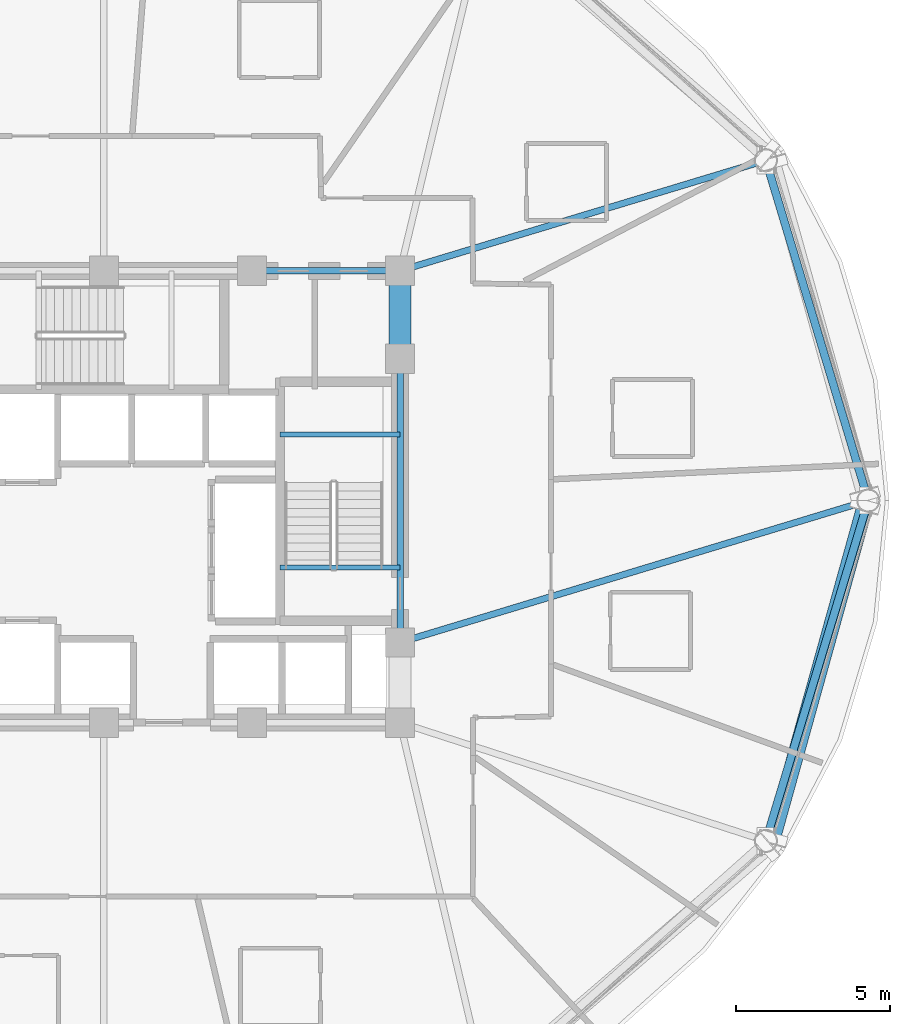
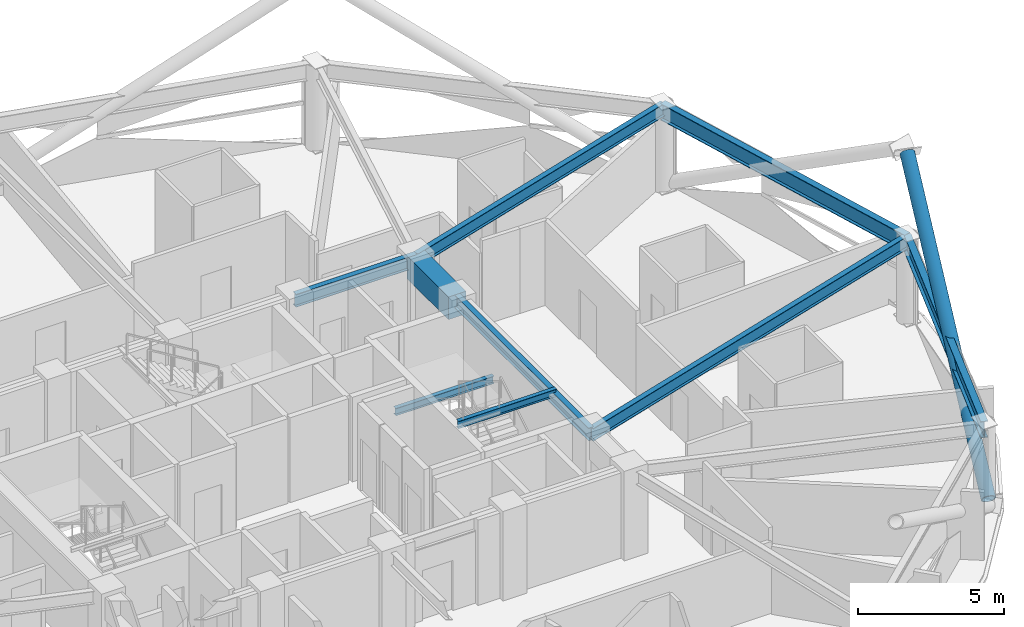
# One storey, part 11 of 29: 9 beams, 1 member.
"""IFC4 building model written with IfcOpenShell, lengths in metres."""

from ifc_helpers import new_model, si_unit, direction, frame, origin, origin_2d, place, context, subcontext, project, spatial, rectangle, hollow_circle, i_section, extrude, material, material_profile, profile_set, type_object, element, save


model = new_model("IFC4")

# Units and contexts
model_context = context("Model", 3, precision=1e-05, world=origin(), true_north=direction((0.0, 1.0)))
body_context = subcontext(model_context, "Body", "Model", "MODEL_VIEW")
ifc_project = project(units=[si_unit("LENGTHUNIT", "METRE"), si_unit("AREAUNIT", "SQUARE_METRE"), si_unit("VOLUMEUNIT", "CUBIC_METRE"), si_unit("PLANEANGLEUNIT", "RADIAN"), si_unit("MASSUNIT", "GRAM", prefix="KILO")], contexts=[model_context])

# Site, building, storey
site_placement = place(None, origin())
site = spatial("IfcSite", under=ifc_project, at=site_placement, CompositionType="ELEMENT")
building_placement = place(site_placement, origin())
building = spatial("IfcBuilding", under=site, at=building_placement, Name="Vantalir Tower", CompositionType="ELEMENT")
storey_placement = place(building_placement, frame((0.0, 0.0, 157.199951171875)))
storey = spatial("IfcBuildingStorey", under=building, at=storey_placement, Name="L39", CompositionType="ELEMENT", Elevation=157.199951171875)

# Beams
ifc_material_1 = material(Name="Concrete C60/75", Category="concrete")
ifc_material_profile_1 = material_profile(ifc_material_1, rectangle(XDim=0.699951171875, YDim=0.949951171875, at=origin_2d()), Name="Concrete C60/75")
ifc_profile_set_1 = profile_set([ifc_material_profile_1], Name="Concrete C60/75")
beam_type_1 = type_object("IfcBeamType", Name="BM-CB-700x950", PredefinedType="USERDEFINED", material=ifc_profile_set_1)
beam_1_placement = place(storey_placement, frame((41.10009765625, 29.60009765625, 3.094970703125), z_axis=(0.0, 1.0, 0.0), x_axis=(-1.0, 0.0, 0.0)))
element("IfcBeam", 1, at=beam_1_placement, inside=storey, type_object=beam_type_1, Name="L39 Core Coupling Girder 07", ObjectType="GIRDER", PredefinedType="USERDEFINED", context=body_context, shape_type="SweptSolid", body=[
    extrude(rectangle(XDim=0.699951171875, YDim=0.949951171875, at=origin_2d()), origin(), (0.0, 0.0, 1.0), 2.849853515625),
])
ifc_material_2 = material(Name="Steel S355", Category="steel")
ifc_material_profile_2 = material_profile(ifc_material_2, i_section(OverallWidth=0.166015625, OverallDepth=0.306884765625, WebThickness=0.006591796875, FlangeThickness=0.01171875, at=origin_2d()), Name="Steel S355")
ifc_profile_set_2 = profile_set([ifc_material_profile_2], Name="Steel S355")
beam_type_2 = type_object("IfcBeamType", Name="BM-JS-305x165", PredefinedType="JOIST", material=ifc_profile_set_2)
for number, where, z_axis, x_axis, name in (
    (2, (37.2099609375, 22.8349609375, 3.595947265625), (1.0, 0.0, 0.0), (0.0, 1.0, 0.0), "L40 Stair ST2 Well Nosing Trimmer Beam"),
    (3, (37.2099609375, 27.14501953125, 1.52197265625), (1.0, 0.0, 0.0), (0.0, 1.0, 0.0), "L39 Stair ST2 Half-Landing Support Beam"),
):
    element("IfcBeam", number, at=place(storey_placement, frame(where, z_axis=z_axis, x_axis=x_axis)), inside=storey, type_object=beam_type_2, Name=name, PredefinedType="JOIST", context=body_context, shape_type="SweptSolid", body=[
        extrude(i_section(OverallWidth=0.166015625, OverallDepth=0.306884765625, WebThickness=0.006591796875, FlangeThickness=0.01171875, at=origin_2d()), origin(), (0.0, 0.0, 1.0), 3.89013671875),
    ])
ifc_material_profile_3 = material_profile(ifc_material_2, i_section(OverallWidth=0.2109375, OverallDepth=0.5390625, WebThickness=0.01171875, FlangeThickness=0.018798828125, at=origin_2d()), Name="Steel S355")
ifc_profile_set_3 = profile_set([ifc_material_profile_3], Name="Steel S355")
beam_type_3 = type_object("IfcBeamType", Name="BM-RB-533x210", PredefinedType="BEAM", material=ifc_profile_set_3)
beam_2_placement = place(storey_placement, frame((41.10009765625, 20.39990234375, 3.301025390625), z_axis=(0.0, 1.0, 0.0), x_axis=(-1.0, 0.0, 0.0)))
element("IfcBeam", 4, at=beam_2_placement, inside=storey, type_object=beam_type_3, Name="L39 Core Coupling Girder 06", PredefinedType="BEAM", context=body_context, shape_type="SweptSolid", body=[
    extrude(i_section(OverallWidth=0.2109375, OverallDepth=0.5390625, WebThickness=0.01171875, FlangeThickness=0.018798828125, at=origin_2d()), origin(), (0.0, 0.0, 1.0), 9.2001953125),
])
beam_3_placement = place(storey_placement, frame((41.10009765625, 32.449951171875, 3.301025390625), z_axis=(-1.0, 0.0, 0.0), x_axis=(0.0, -1.0, 0.0)))
element("IfcBeam", 5, at=beam_3_placement, inside=storey, type_object=beam_type_3, Name="L39 Core Coupling Girder 08", PredefinedType="BEAM", context=body_context, shape_type="SweptSolid", body=[
    extrude(i_section(OverallWidth=0.2109375, OverallDepth=0.5390625, WebThickness=0.01171875, FlangeThickness=0.018798828125, at=origin_2d()), origin(), (0.0, 0.0, 1.0), 4.800048828125),
])
beam_4_placement = place(storey_placement, frame((56.282958984375, 25.0, 3.301025390625), z_axis=(-0.957037864084, -0.289962974723, 0.0), x_axis=(0.289962974723, -0.957037864084, 0.0)))
element("IfcBeam", 6, at=beam_4_placement, inside=storey, type_object=beam_type_3, Name="L39 Radial Floor Beam 01", PredefinedType="BEAM", context=body_context, shape_type="SweptSolid", body=[
    extrude(i_section(OverallWidth=0.2109375, OverallDepth=0.5390625, WebThickness=0.01171875, FlangeThickness=0.018798828125, at=origin_2d()), origin(), (0.0, 0.0, 1.0), 15.864501953125),
])
beam_5_placement = place(storey_placement, frame((52.962890625, 36.033935546875, 3.301025390625), z_axis=(-0.957265983096, -0.289208986043, 0.0), x_axis=(0.289208986043, -0.957265983096, 0.0)))
element("IfcBeam", 7, at=beam_5_placement, inside=storey, type_object=beam_type_3, Name="L39 Radial Floor Beam 02", PredefinedType="BEAM", context=body_context, shape_type="SweptSolid", body=[
    extrude(i_section(OverallWidth=0.2109375, OverallDepth=0.5390625, WebThickness=0.01171875, FlangeThickness=0.018798828125, at=origin_2d()), origin(), (0.0, 0.0, 1.0), 12.392333984375),
])
ifc_material_3 = material(Name="Steel S460", Category="steel")
ifc_material_profile_4 = material_profile(ifc_material_3, i_section(OverallWidth=0.256103515625, OverallDepth=0.693115234375, WebThickness=0.014404296875, FlangeThickness=0.023681640625, at=origin_2d()), Name="Steel S460")
ifc_profile_set_4 = profile_set([ifc_material_profile_4], Name="Steel S460")
beam_type_4 = type_object("IfcBeamType", Name="BM-RG-686x254", PredefinedType="USERDEFINED", material=ifc_profile_set_4)
beam_6_placement = place(storey_placement, frame((56.282958984375, 25.0, 3.22412109375), z_axis=(-0.288135047515, 0.957589783986, 0.0), x_axis=(-0.957589783986, -0.288135047515, 0.0)))
element("IfcBeam", 8, at=beam_6_placement, inside=storey, type_object=beam_type_4, Name="L39 Circumferential Ring Girder 01", ObjectType="GIRDER", PredefinedType="USERDEFINED", context=body_context, shape_type="SweptSolid", body=[
    extrude(i_section(OverallWidth=0.256103515625, OverallDepth=0.693115234375, WebThickness=0.014404296875, FlangeThickness=0.023681640625, at=origin_2d()), origin(), (0.0, 0.0, 1.0), 11.522705078125),
])
beam_7_placement = place(storey_placement, frame((52.962890625, 13.965087890625, 3.22412109375), z_axis=(0.288111665009, 0.95759681938, 0.0), x_axis=(-0.95759681938, 0.288111665009, 0.0)))
element("IfcBeam", 9, at=beam_7_placement, inside=storey, type_object=beam_type_4, Name="L39 Circumferential Ring Girder 12", ObjectType="GIRDER", PredefinedType="USERDEFINED", context=body_context, shape_type="SweptSolid", body=[
    extrude(i_section(OverallWidth=0.256103515625, OverallDepth=0.693115234375, WebThickness=0.014404296875, FlangeThickness=0.023681640625, at=origin_2d()), origin(), (0.0, 0.0, 1.0), 11.5234375),
])

# Member
ifc_material_profile_5 = material_profile(ifc_material_3, hollow_circle(Radius=0.260009765625, WallThickness=0.0380859375, at=origin_2d()), Name="Steel S460")
ifc_profile_set_5 = profile_set([ifc_material_profile_5], Name="Steel S460")
member_type = type_object("IfcMemberType", Name="MEM-DB-520x38", PredefinedType="BRACE", material=ifc_profile_set_5)
member_placement = place(storey_placement, frame((53.177001953125, 14.050048828125, 0.196044921875), z_axis=(0.228021844573, 0.818866464628, 0.526748280971), x_axis=(-0.963348145595, 0.268254264417, 0.0)))
element("IfcMember", 10, at=member_placement, inside=storey, type_object=member_type, Name="L39 Perimeter S460 Diagrid Brace R34L", PredefinedType="BRACE", context=body_context, shape_type="SweptSolid", body=[
    extrude(hollow_circle(Radius=0.260009765625, WallThickness=0.0380859375, at=origin_2d()), origin(), (0.0, 0.0, 1.0), 13.15234375),
])

save(model, "model.ifc")
